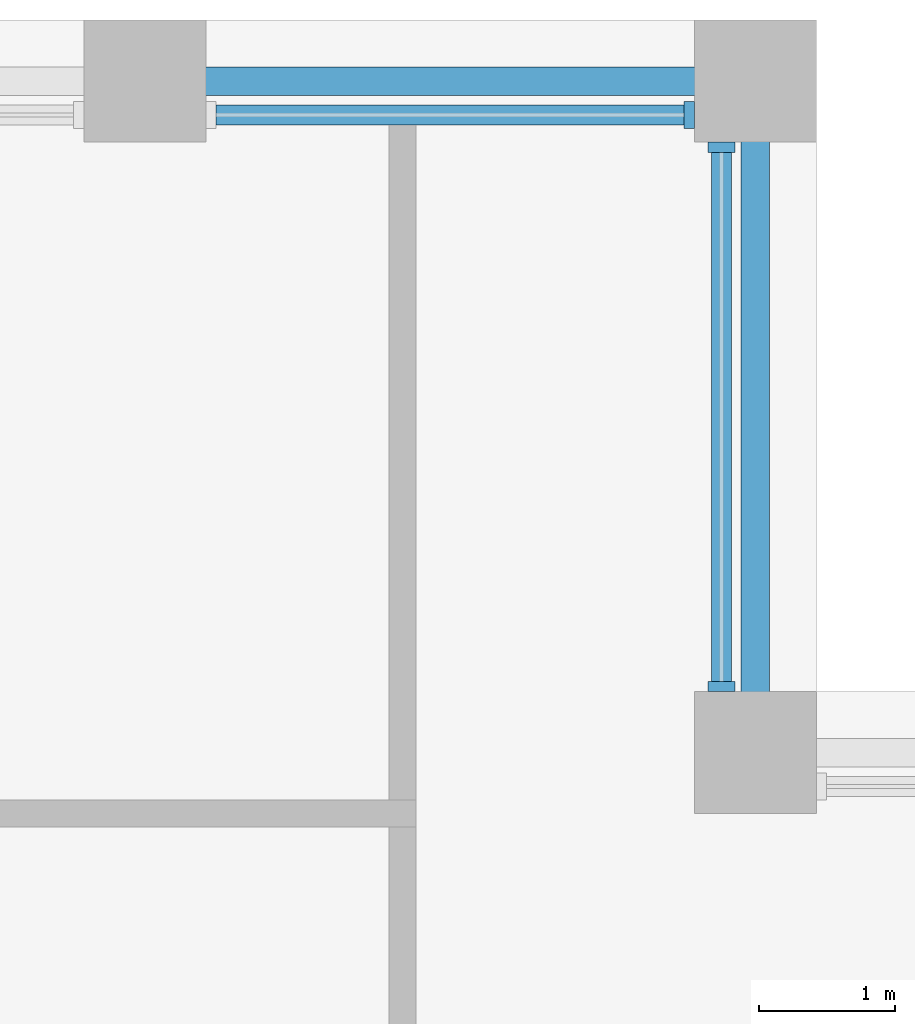
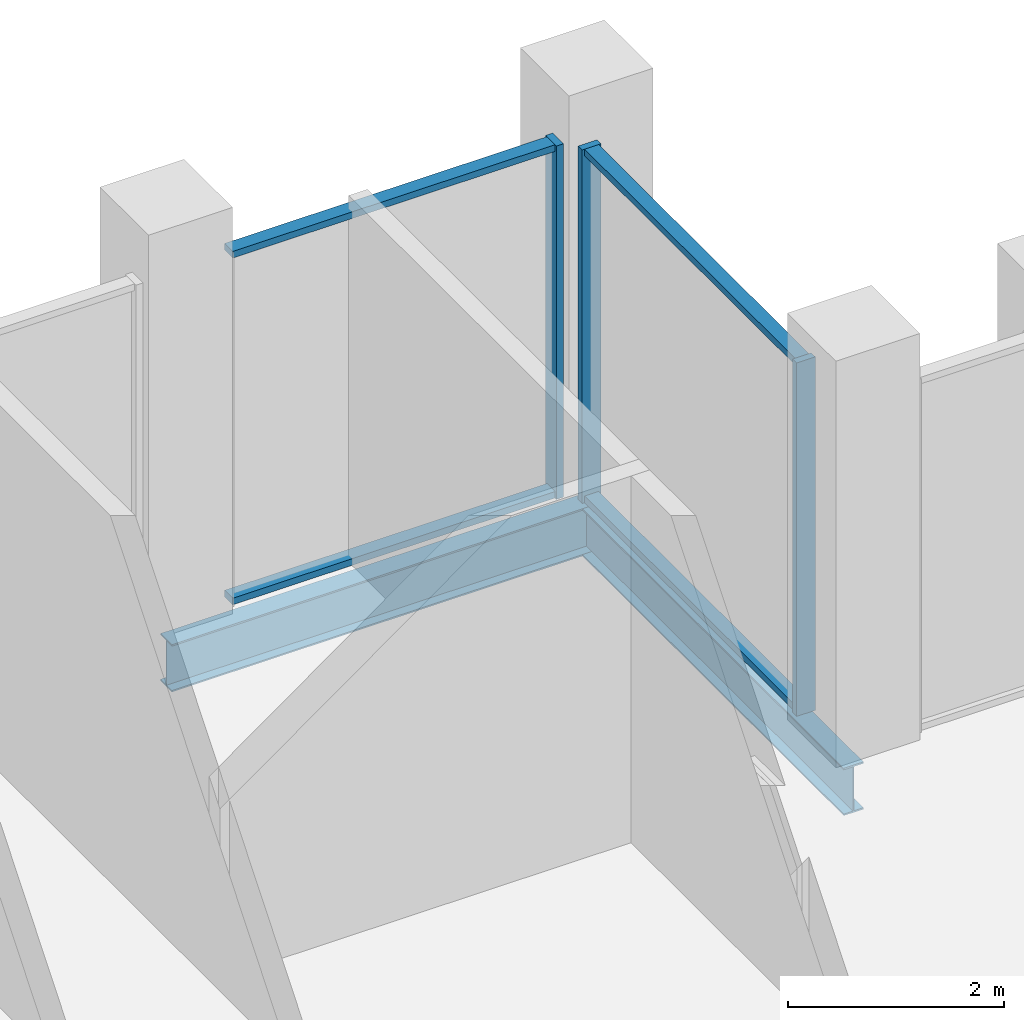
# One storey, part 8 of 14: 7 members, 2 beams, 2 elements without a shape of their own.
"""IFC4 building model written with IfcOpenShell, lengths in metres."""

from ifc_helpers import new_model, si_unit, direction, frame, origin, origin_2d, place, context, subcontext, project, spatial, rectangle, i_section, extrude, material, layer, layer_set, material_profile, profile_set, type_object, element, aggregate, save


model = new_model("IFC4")

# Units and contexts
model_context = context("Model", 3, precision=1e-05, world=origin(), true_north=direction((0.0, 1.0)))
body_context = subcontext(model_context, "Body", "Model", "MODEL_VIEW")
ifc_project = project(units=[si_unit("LENGTHUNIT", "METRE"), si_unit("AREAUNIT", "SQUARE_METRE"), si_unit("VOLUMEUNIT", "CUBIC_METRE"), si_unit("PLANEANGLEUNIT", "RADIAN"), si_unit("MASSUNIT", "GRAM", prefix="KILO")], contexts=[model_context])

# Site, building, storey
site_placement = place(None, origin())
site = spatial("IfcSite", under=ifc_project, at=site_placement, CompositionType="ELEMENT")
building_placement = place(site_placement, origin())
building = spatial("IfcBuilding", under=site, at=building_placement, Name="Corbelhall Arena Tower", CompositionType="ELEMENT")
storey_placement = place(building_placement, frame((0.0, 0.0, 376.0)))
storey = spatial("IfcBuildingStorey", under=building, at=storey_placement, Name="L81", CompositionType="ELEMENT", Elevation=376.0)

# Curtain wall, members
ifc_material_1 = material(Name="Aluminium black anodised", Category="aluminium")
ifc_layer = layer(ifc_material_1, 0.179931640625)
ifc_layer_set = layer_set([ifc_layer], Name="EV-CW3 Crown glazing")
curtain_wall_type = type_object("IfcCurtainWallType", Name="EV-CW3 Crown glazing", PredefinedType="NOTDEFINED", material=ifc_layer_set)
curtain_wall_1_placement = place(storey_placement, origin())
curtain_wall_1 = element("IfcCurtainWall", 1, at=curtain_wall_1_placement, inside=storey, type_object=curtain_wall_type, Name="Curtain wall CW3", PredefinedType="NOTDEFINED")
ifc_material_profile_1 = material_profile(ifc_material_1, rectangle(XDim=0.199951171875, YDim=0.074951171875, at=origin_2d()))
ifc_profile_set_1 = profile_set([ifc_material_profile_1], Name="Aluminium black anodised")
member_type_1 = type_object("IfcMemberType", Name="EV-CW3-MULLION", PredefinedType="MULLION", material=ifc_profile_set_1)
member_1_placement = place(storey_placement, frame((22.25, 23.4375, 0.0), z_axis=(0.0, 0.0, 1.0), x_axis=(-1.0, 0.0, 0.0)))
member_1 = element("IfcMember", 2, at=member_1_placement, type_object=member_type_1, Name="CW3 mullion 1", PredefinedType="MULLION", context=body_context, shape_type="SweptSolid", body=[
    extrude(rectangle(XDim=0.199951171875, YDim=0.074951171875, at=origin_2d()), origin(), (0.0, 0.0, 1.0), 3.99951171875),
])
member_2_placement = place(storey_placement, frame((22.25, 27.41259765625, 0.0), z_axis=(0.0, 0.0, 1.0), x_axis=(-1.0, 0.0, 0.0)))
member_2 = element("IfcMember", 3, at=member_2_placement, type_object=member_type_1, Name="CW3 mullion 2", PredefinedType="MULLION", context=body_context, shape_type="SweptSolid", body=[
    extrude(rectangle(XDim=0.199951171875, YDim=0.074951171875, at=origin_2d()), origin(), (0.0, 0.0, 1.0), 3.99951171875),
])

# Curtain wall, member
curtain_wall_2_placement = place(storey_placement, origin())
curtain_wall_2 = element("IfcCurtainWall", 4, at=curtain_wall_2_placement, inside=storey, type_object=curtain_wall_type, Name="Curtain wall CW3A", PredefinedType="NOTDEFINED")
member_3_placement = place(storey_placement, frame((22.012451171875, 27.64990234375, 0.0), z_axis=(0.0, 0.0, 1.0), x_axis=(0.0, -1.0, 0.0)))
member_3 = element("IfcMember", 5, at=member_3_placement, type_object=member_type_1, Name="CW3A mullion 1", PredefinedType="MULLION", context=body_context, shape_type="SweptSolid", body=[
    extrude(rectangle(XDim=0.199951171875, YDim=0.074951171875, at=origin_2d()), origin(), (0.0, 0.0, 1.0), 3.99951171875),
])

# Member
ifc_material_profile_2 = material_profile(ifc_material_1, rectangle(XDim=0.14990234375, YDim=0.074951171875, at=origin_2d()))
ifc_profile_set_2 = profile_set([ifc_material_profile_2], Name="Aluminium black anodised")
member_type_2 = type_object("IfcMemberType", Name="EV-CW3-TRANSOM", PredefinedType="USERDEFINED", material=ifc_profile_set_2)
member_4_placement = place(storey_placement, frame((22.25, 23.47509765625, 0.03759765625), z_axis=(0.0, 1.0, 0.0), x_axis=(-1.0, 0.0, 0.0)))
member_4 = element("IfcMember", 6, at=member_4_placement, type_object=member_type_2, Name="CW3 transom 1.1", ObjectType="transom", PredefinedType="USERDEFINED", context=body_context, shape_type="SweptSolid", body=[
    extrude(rectangle(XDim=0.14990234375, YDim=0.074951171875, at=origin_2d()), origin(), (0.0, 0.0, 1.0), 3.89990234375),
])

member_5_placement = place(storey_placement, frame((22.25, 23.47509765625, 3.962158203125), z_axis=(0.0, 1.0, 0.0), x_axis=(-1.0, 0.0, 0.0)))
member_5 = element("IfcMember", 7, at=member_5_placement, type_object=member_type_2, Name="CW3 transom 1.2", ObjectType="transom", PredefinedType="USERDEFINED", context=body_context, shape_type="SweptSolid", body=[
    extrude(rectangle(XDim=0.14990234375, YDim=0.074951171875, at=origin_2d()), origin(), (0.0, 0.0, 1.0), 3.89990234375),
])

aggregate(curtain_wall_1, [member_1, member_2, member_4, member_5])

member_6_placement = place(storey_placement, frame((21.97509765625, 27.64990234375, 0.03759765625), z_axis=(-1.0, 0.0, 0.0), x_axis=(0.0, -1.0, 0.0)))
member_6 = element("IfcMember", 8, at=member_6_placement, type_object=member_type_2, Name="CW3A transom 1.1", ObjectType="transom", PredefinedType="USERDEFINED", context=body_context, shape_type="SweptSolid", body=[
    extrude(rectangle(XDim=0.14990234375, YDim=0.074951171875, at=origin_2d()), origin(), (0.0, 0.0, 1.0), 3.4501953125),
])

member_7_placement = place(storey_placement, frame((21.97509765625, 27.64990234375, 3.962158203125), z_axis=(-1.0, 0.0, 0.0), x_axis=(0.0, -1.0, 0.0)))
member_7 = element("IfcMember", 9, at=member_7_placement, type_object=member_type_2, Name="CW3A transom 1.2", ObjectType="transom", PredefinedType="USERDEFINED", context=body_context, shape_type="SweptSolid", body=[
    extrude(rectangle(XDim=0.14990234375, YDim=0.074951171875, at=origin_2d()), origin(), (0.0, 0.0, 1.0), 3.4501953125),
])

aggregate(curtain_wall_2, [member_3, member_6, member_7])

# Beams
ifc_material_2 = material(Name="Steel ASTM A992 Gr50", Category="steel")
ifc_material_profile_3 = material_profile(ifc_material_2, i_section(OverallWidth=0.2099609375, OverallDepth=0.535888671875, WebThickness=0.010986328125, FlangeThickness=0.017333984375, at=origin_2d()))
ifc_profile_set_3 = profile_set([ifc_material_profile_3], Name="Steel ASTM A992 Gr50")
beam_type = type_object("IfcBeamType", Name="ST-SPANDREL-W21x68", PredefinedType="SPANDREL", material=ifc_profile_set_3)
beam_1_placement = place(storey_placement, frame((18.0, 27.89990234375, -0.66845703125), z_axis=(1.0, 0.0, 0.0), x_axis=(0.0, 1.0, 0.0)))
element("IfcBeam", 10, at=beam_1_placement, inside=storey, type_object=beam_type, Name="Beam SP 14", PredefinedType="SPANDREL", context=body_context, shape_type="SweptSolid", body=[
    extrude(i_section(OverallWidth=0.2099609375, OverallDepth=0.535888671875, WebThickness=0.010986328125, FlangeThickness=0.017333984375, at=origin_2d()), origin(), (0.0, 0.0, 1.0), 4.5),
])
beam_2_placement = place(storey_placement, frame((22.5, 27.89990234375, -0.66845703125), z_axis=(0.0, -1.0, 0.0), x_axis=(1.0, 0.0, 0.0)))
element("IfcBeam", 11, at=beam_2_placement, inside=storey, type_object=beam_type, Name="Beam SP 15", PredefinedType="SPANDREL", context=body_context, shape_type="SweptSolid", body=[
    extrude(i_section(OverallWidth=0.2099609375, OverallDepth=0.535888671875, WebThickness=0.010986328125, FlangeThickness=0.017333984375, at=origin_2d()), origin(), (0.0, 0.0, 1.0), 4.949951171875),
])

save(model, "model.ifc")
